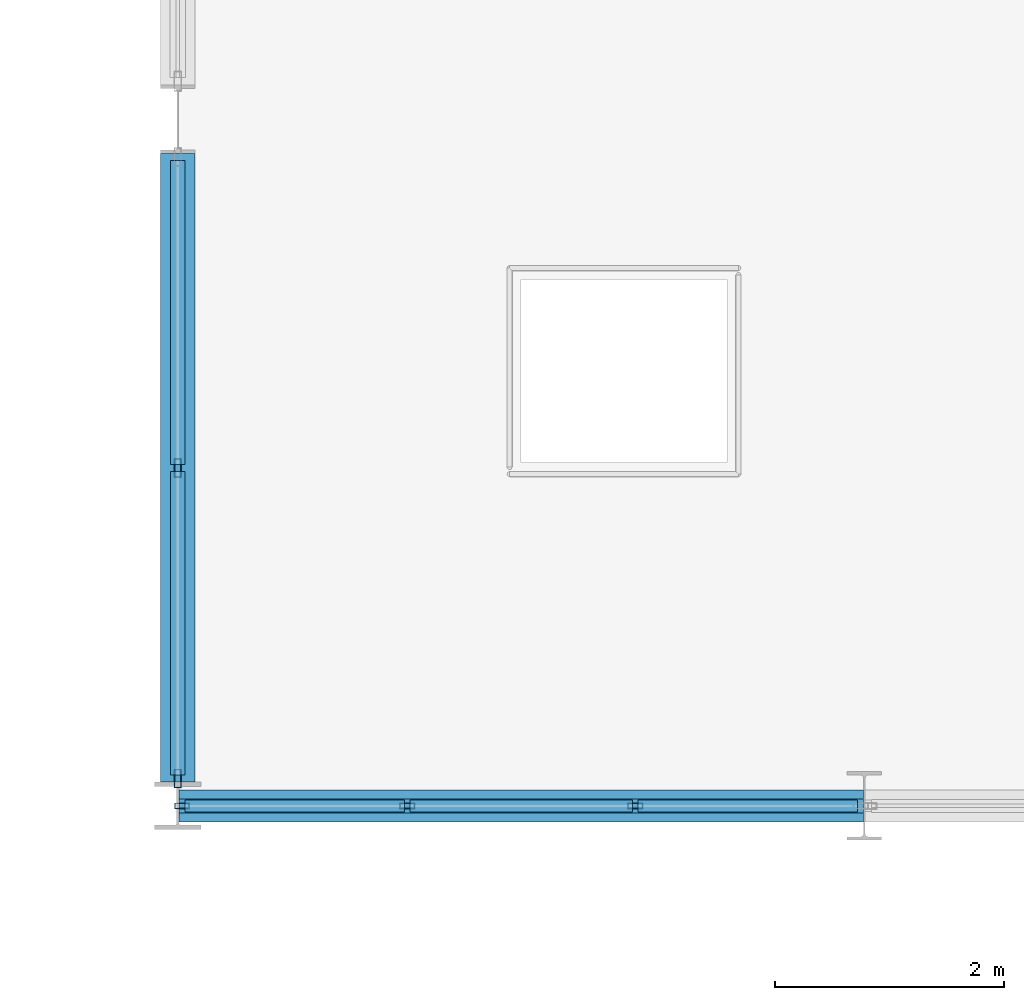
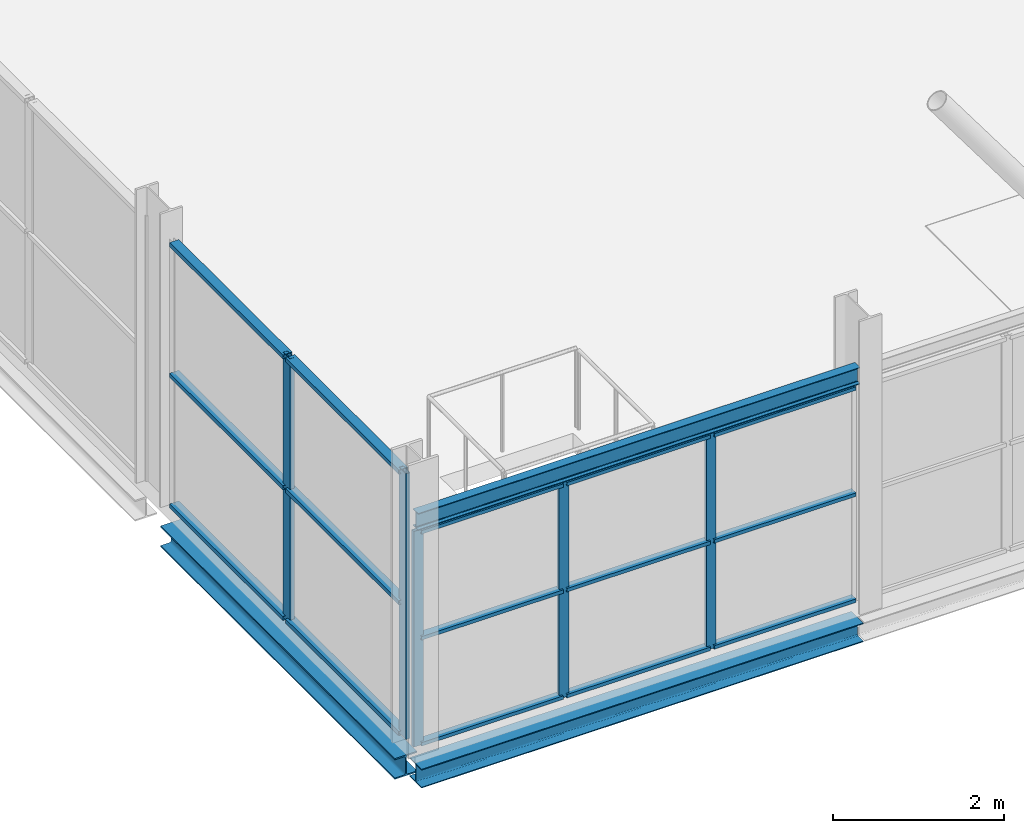
# One storey, part 23 of 140: 20 members, 3 beams, 2 elements without a shape of their own.
"""IFC4 building model written with IfcOpenShell, lengths in metres."""

from ifc_helpers import new_model, si_unit, direction, frame, origin, origin_2d, place, context, subcontext, project, spatial, hollow_rectangle, i_section, extrude, material, layer, layer_set, material_profile, profile_set, type_object, element, aggregate, save


model = new_model("IFC4")

# Units and contexts
model_context = context("Model", 3, precision=1e-05, world=origin(), true_north=direction((0.0, 1.0)))
body_context = subcontext(model_context, "Body", "Model", "MODEL_VIEW")
ifc_project = project(units=[si_unit("LENGTHUNIT", "METRE"), si_unit("AREAUNIT", "SQUARE_METRE"), si_unit("VOLUMEUNIT", "CUBIC_METRE"), si_unit("PLANEANGLEUNIT", "RADIAN"), si_unit("MASSUNIT", "GRAM", prefix="KILO")], contexts=[model_context])

# Site, building, storey
site_placement = place(None, origin())
site = spatial("IfcSite", under=ifc_project, at=site_placement, CompositionType="ELEMENT")
building_placement = place(site_placement, origin())
building = spatial("IfcBuilding", under=site, at=building_placement, Name="Deido Ridge Mobility Hub", CompositionType="ELEMENT")
storey_placement = place(building_placement, origin())
storey = spatial("IfcBuildingStorey", under=building, at=storey_placement, Name="L00", CompositionType="ELEMENT", Elevation=0.0)

# Beam
ifc_material_1 = material(Name="Steel S355J2 EN 10025-2", Category="steel")
ifc_material_profile_1 = material_profile(ifc_material_1, i_section(OverallWidth=0.1201171875, OverallDepth=0.239990234375, WebThickness=0.006103515625, FlangeThickness=0.009765625, FilletRadius=0.014892578125, at=origin_2d()), Name="IPE 240")
ifc_profile_set_1 = profile_set([ifc_material_profile_1], Name="Steel S355J2 EN 10025-2")
beam_type_1 = type_object("IfcBeamType", Name="LNT-IPE240", PredefinedType="LINTEL", material=ifc_profile_set_1)
beam_1_placement = place(storey_placement, frame((0.011962890625, 0.0, 3.22998046875), z_axis=(1.0, 0.0, 0.0), x_axis=(0.0, 1.0, 0.0)))
element("IfcBeam", 1, at=beam_1_placement, inside=storey, type_object=beam_type_1, Name="Opening lintel LN1", PredefinedType="LINTEL", context=body_context, shape_type="SweptSolid", body=[
    extrude(i_section(OverallWidth=0.1201171875, OverallDepth=0.239990234375, WebThickness=0.006103515625, FlangeThickness=0.009765625, FilletRadius=0.014892578125, at=origin_2d()), origin(), (0.0, 0.0, 1.0), 5.980224609375),
])

# Curtain wall, members
ifc_material_2 = material(Name="Anodised aluminium EN AW-6063 T6", Category="aluminium")
ifc_layer_1 = layer(ifc_material_2, 0.1650390625, Name="Anodised aluminium EN AW-6063 T6")
ifc_layer_set_1 = layer_set([ifc_layer_1], Name="Anodised aluminium EN AW-6063 T6")
curtain_wall_type_1 = type_object("IfcCurtainWallType", Name="CW-UF-1", PredefinedType="USERDEFINED", material=ifc_layer_set_1)
curtain_wall_1_placement = place(storey_placement, origin())
curtain_wall_1 = element("IfcCurtainWall", 2, at=curtain_wall_1_placement, inside=storey, type_object=curtain_wall_type_1, Name="Unitised curtain wall CW1", ObjectType="UNITISED FACADE", PredefinedType="USERDEFINED")
ifc_material_profile_2 = material_profile(ifc_material_2, hollow_rectangle(XDim=0.050048828125, YDim=0.1298828125, WallThickness=0.00390625, at=origin_2d()), Name="RHS 50x130x4")
ifc_profile_set_2 = profile_set([ifc_material_profile_2], Name="Anodised aluminium EN AW-6063 T6")
member_type_1 = type_object("IfcMemberType", Name="MEM-MUL-50X130", PredefinedType="MULLION", material=ifc_profile_set_2)
member_1_placement = place(storey_placement, frame((0.037109375, 0.0, 0.0), z_axis=(0.0, 0.0, 1.0), x_axis=(0.0, 1.0, 0.0)))
member_1 = element("IfcMember", 3, at=member_1_placement, type_object=member_type_1, Name="CW1 mullion 1", PredefinedType="MULLION", context=body_context, shape_type="SweptSolid", body=[
    extrude(hollow_rectangle(XDim=0.050048828125, YDim=0.1298828125, WallThickness=0.00390625, at=origin_2d()), origin(), (0.0, 0.0, 1.0), 3.0849609375),
])
member_2_placement = place(storey_placement, frame((2.00537109375, 0.0, 0.0), z_axis=(0.0, 0.0, 1.0), x_axis=(0.0, 1.0, 0.0)))
member_2 = element("IfcMember", 4, at=member_2_placement, type_object=member_type_1, Name="CW1 mullion 2", PredefinedType="MULLION", context=body_context, shape_type="SweptSolid", body=[
    extrude(hollow_rectangle(XDim=0.050048828125, YDim=0.1298828125, WallThickness=0.00390625, at=origin_2d()), origin(), (0.0, 0.0, 1.0), 3.0849609375),
])
member_3_placement = place(storey_placement, frame((3.998779296875, 0.0, 0.0), z_axis=(0.0, 0.0, 1.0), x_axis=(0.0, 1.0, 0.0)))
member_3 = element("IfcMember", 5, at=member_3_placement, type_object=member_type_1, Name="CW1 mullion 3", PredefinedType="MULLION", context=body_context, shape_type="SweptSolid", body=[
    extrude(hollow_rectangle(XDim=0.050048828125, YDim=0.1298828125, WallThickness=0.00390625, at=origin_2d()), origin(), (0.0, 0.0, 1.0), 3.0849609375),
])

ifc_layer_2 = layer(ifc_material_2, 0.2099609375, Name="Anodised aluminium EN AW-6063 T6")
ifc_layer_set_2 = layer_set([ifc_layer_2], Name="Anodised aluminium EN AW-6063 T6")
curtain_wall_type_2 = type_object("IfcCurtainWallType", Name="CW-UF-4", PredefinedType="USERDEFINED", material=ifc_layer_set_2)
curtain_wall_2_placement = place(storey_placement, origin())
curtain_wall_2 = element("IfcCurtainWall", 6, at=curtain_wall_2_placement, inside=storey, type_object=curtain_wall_type_2, Name="Unitised curtain wall CW4", ObjectType="UNITISED FACADE", PredefinedType="USERDEFINED")
ifc_material_profile_3 = material_profile(ifc_material_2, hollow_rectangle(XDim=0.06005859375, YDim=0.159912109375, WallThickness=0.00390625, at=origin_2d()), Name="RHS 60x160x4")
ifc_profile_set_3 = profile_set([ifc_material_profile_3], Name="Anodised aluminium EN AW-6063 T6")
member_type_2 = type_object("IfcMemberType", Name="MEM-MUL-60X160", PredefinedType="MULLION", material=ifc_profile_set_3)
member_4_placement = place(storey_placement, frame((0.0, 0.238037109375, 0.0), z_axis=(0.0, 0.0, 1.0), x_axis=(-1.0, 0.0, 0.0)))
member_4 = element("IfcMember", 7, at=member_4_placement, type_object=member_type_2, Name="CW4 mullion 1", PredefinedType="MULLION", context=body_context, shape_type="SweptSolid", body=[
    extrude(hollow_rectangle(XDim=0.06005859375, YDim=0.159912109375, WallThickness=0.00390625, at=origin_2d()), origin(), (0.0, 0.0, 1.0), 3.800048828125),
])
member_5_placement = place(storey_placement, frame((0.0, 2.9541015625, 0.0), z_axis=(0.0, 0.0, 1.0), x_axis=(-1.0, 0.0, 0.0)))
member_5 = element("IfcMember", 8, at=member_5_placement, type_object=member_type_2, Name="CW4 mullion 2", PredefinedType="MULLION", context=body_context, shape_type="SweptSolid", body=[
    extrude(hollow_rectangle(XDim=0.06005859375, YDim=0.159912109375, WallThickness=0.00390625, at=origin_2d()), origin(), (0.0, 0.0, 1.0), 3.800048828125),
])

# Member
ifc_material_profile_4 = material_profile(ifc_material_2, hollow_rectangle(XDim=0.10498046875, YDim=0.050048828125, WallThickness=0.00390625, at=origin_2d()), Name="RHS 105x50x4")
ifc_profile_set_4 = profile_set([ifc_material_profile_4], Name="Anodised aluminium EN AW-6063 T6")
member_type_3 = type_object("IfcMemberType", Name="MEM-TRN-105X50", PredefinedType="USERDEFINED", material=ifc_profile_set_4)
member_6_placement = place(storey_placement, frame((0.06201171875, 0.0, 0.02490234375), z_axis=(1.0, 0.0, 0.0), x_axis=(0.0, 1.0, 0.0)))
member_6 = element("IfcMember", 9, at=member_6_placement, type_object=member_type_3, Name="CW1 transom 1.1", ObjectType="TRANSOM", PredefinedType="USERDEFINED", context=body_context, shape_type="SweptSolid", body=[
    extrude(hollow_rectangle(XDim=0.10498046875, YDim=0.050048828125, WallThickness=0.00390625, at=origin_2d()), origin(), (0.0, 0.0, 1.0), 1.91845703125),
])

member_7_placement = place(storey_placement, frame((0.06201171875, 0.0, 1.54248046875), z_axis=(1.0, 0.0, 0.0), x_axis=(0.0, 1.0, 0.0)))
member_7 = element("IfcMember", 10, at=member_7_placement, type_object=member_type_3, Name="CW1 transom 1.2", ObjectType="TRANSOM", PredefinedType="USERDEFINED", context=body_context, shape_type="SweptSolid", body=[
    extrude(hollow_rectangle(XDim=0.10498046875, YDim=0.050048828125, WallThickness=0.00390625, at=origin_2d()), origin(), (0.0, 0.0, 1.0), 1.91845703125),
])

member_8_placement = place(storey_placement, frame((0.06201171875, 0.0, 3.06005859375), z_axis=(1.0, 0.0, 0.0), x_axis=(0.0, 1.0, 0.0)))
member_8 = element("IfcMember", 11, at=member_8_placement, type_object=member_type_3, Name="CW1 transom 1.3", ObjectType="TRANSOM", PredefinedType="USERDEFINED", context=body_context, shape_type="SweptSolid", body=[
    extrude(hollow_rectangle(XDim=0.10498046875, YDim=0.050048828125, WallThickness=0.00390625, at=origin_2d()), origin(), (0.0, 0.0, 1.0), 1.91845703125),
])

member_9_placement = place(storey_placement, frame((2.030517578125, 0.0, 0.02490234375), z_axis=(1.0, 0.0, 0.0), x_axis=(0.0, 1.0, 0.0)))
member_9 = element("IfcMember", 12, at=member_9_placement, type_object=member_type_3, Name="CW1 transom 2.1", ObjectType="TRANSOM", PredefinedType="USERDEFINED", context=body_context, shape_type="SweptSolid", body=[
    extrude(hollow_rectangle(XDim=0.10498046875, YDim=0.050048828125, WallThickness=0.00390625, at=origin_2d()), origin(), (0.0, 0.0, 1.0), 1.943359375),
])

member_10_placement = place(storey_placement, frame((2.030517578125, 0.0, 1.54248046875), z_axis=(1.0, 0.0, 0.0), x_axis=(0.0, 1.0, 0.0)))
member_10 = element("IfcMember", 13, at=member_10_placement, type_object=member_type_3, Name="CW1 transom 2.2", ObjectType="TRANSOM", PredefinedType="USERDEFINED", context=body_context, shape_type="SweptSolid", body=[
    extrude(hollow_rectangle(XDim=0.10498046875, YDim=0.050048828125, WallThickness=0.00390625, at=origin_2d()), origin(), (0.0, 0.0, 1.0), 1.943359375),
])

member_11_placement = place(storey_placement, frame((2.030517578125, 0.0, 3.06005859375), z_axis=(1.0, 0.0, 0.0), x_axis=(0.0, 1.0, 0.0)))
member_11 = element("IfcMember", 14, at=member_11_placement, type_object=member_type_3, Name="CW1 transom 2.3", ObjectType="TRANSOM", PredefinedType="USERDEFINED", context=body_context, shape_type="SweptSolid", body=[
    extrude(hollow_rectangle(XDim=0.10498046875, YDim=0.050048828125, WallThickness=0.00390625, at=origin_2d()), origin(), (0.0, 0.0, 1.0), 1.943359375),
])

member_12_placement = place(storey_placement, frame((4.02392578125, 0.0, 0.02490234375), z_axis=(1.0, 0.0, 0.0), x_axis=(0.0, 1.0, 0.0)))
member_12 = element("IfcMember", 15, at=member_12_placement, type_object=member_type_3, Name="CW1 transom 3.1", ObjectType="TRANSOM", PredefinedType="USERDEFINED", context=body_context, shape_type="SweptSolid", body=[
    extrude(hollow_rectangle(XDim=0.10498046875, YDim=0.050048828125, WallThickness=0.00390625, at=origin_2d()), origin(), (0.0, 0.0, 1.0), 1.91845703125),
])

member_13_placement = place(storey_placement, frame((4.02392578125, 0.0, 1.54248046875), z_axis=(1.0, 0.0, 0.0), x_axis=(0.0, 1.0, 0.0)))
member_13 = element("IfcMember", 16, at=member_13_placement, type_object=member_type_3, Name="CW1 transom 3.2", ObjectType="TRANSOM", PredefinedType="USERDEFINED", context=body_context, shape_type="SweptSolid", body=[
    extrude(hollow_rectangle(XDim=0.10498046875, YDim=0.050048828125, WallThickness=0.00390625, at=origin_2d()), origin(), (0.0, 0.0, 1.0), 1.91845703125),
])

member_14_placement = place(storey_placement, frame((4.02392578125, 0.0, 3.06005859375), z_axis=(1.0, 0.0, 0.0), x_axis=(0.0, 1.0, 0.0)))
member_14 = element("IfcMember", 17, at=member_14_placement, type_object=member_type_3, Name="CW1 transom 3.3", ObjectType="TRANSOM", PredefinedType="USERDEFINED", context=body_context, shape_type="SweptSolid", body=[
    extrude(hollow_rectangle(XDim=0.10498046875, YDim=0.050048828125, WallThickness=0.00390625, at=origin_2d()), origin(), (0.0, 0.0, 1.0), 1.91845703125),
])

aggregate(curtain_wall_1, [member_1, member_2, member_3, member_6, member_7, member_8, member_9, member_10, member_11, member_12, member_13, member_14])

ifc_material_profile_5 = material_profile(ifc_material_2, hollow_rectangle(XDim=0.125, YDim=0.06005859375, WallThickness=0.00390625, at=origin_2d()), Name="RHS 125x60x4")
ifc_profile_set_5 = profile_set([ifc_material_profile_5], Name="Anodised aluminium EN AW-6063 T6")
member_type_4 = type_object("IfcMemberType", Name="MEM-TRN-125X60", PredefinedType="USERDEFINED", material=ifc_profile_set_5)
member_15_placement = place(storey_placement, frame((0.0, 0.26806640625, 0.030029296875), z_axis=(0.0, 1.0, 0.0), x_axis=(-1.0, 0.0, 0.0)))
member_15 = element("IfcMember", 18, at=member_15_placement, type_object=member_type_4, Name="CW4 transom 1.1", ObjectType="TRANSOM", PredefinedType="USERDEFINED", context=body_context, shape_type="SweptSolid", body=[
    extrude(hollow_rectangle(XDim=0.125, YDim=0.06005859375, WallThickness=0.00390625, at=origin_2d()), origin(), (0.0, 0.0, 1.0), 2.656005859375),
])

member_16_placement = place(storey_placement, frame((0.0, 0.26806640625, 1.89990234375), z_axis=(0.0, 1.0, 0.0), x_axis=(-1.0, 0.0, 0.0)))
member_16 = element("IfcMember", 19, at=member_16_placement, type_object=member_type_4, Name="CW4 transom 1.2", ObjectType="TRANSOM", PredefinedType="USERDEFINED", context=body_context, shape_type="SweptSolid", body=[
    extrude(hollow_rectangle(XDim=0.125, YDim=0.06005859375, WallThickness=0.00390625, at=origin_2d()), origin(), (0.0, 0.0, 1.0), 2.656005859375),
])

member_17_placement = place(storey_placement, frame((0.0, 0.26806640625, 3.77001953125), z_axis=(0.0, 1.0, 0.0), x_axis=(-1.0, 0.0, 0.0)))
member_17 = element("IfcMember", 20, at=member_17_placement, type_object=member_type_4, Name="CW4 transom 1.3", ObjectType="TRANSOM", PredefinedType="USERDEFINED", context=body_context, shape_type="SweptSolid", body=[
    extrude(hollow_rectangle(XDim=0.125, YDim=0.06005859375, WallThickness=0.00390625, at=origin_2d()), origin(), (0.0, 0.0, 1.0), 2.656005859375),
])

member_18_placement = place(storey_placement, frame((0.0, 2.98388671875, 0.030029296875), z_axis=(0.0, 1.0, 0.0), x_axis=(-1.0, 0.0, 0.0)))
member_18 = element("IfcMember", 21, at=member_18_placement, type_object=member_type_4, Name="CW4 transom 2.1", ObjectType="TRANSOM", PredefinedType="USERDEFINED", context=body_context, shape_type="SweptSolid", body=[
    extrude(hollow_rectangle(XDim=0.125, YDim=0.06005859375, WallThickness=0.00390625, at=origin_2d()), origin(), (0.0, 0.0, 1.0), 2.656005859375),
])

member_19_placement = place(storey_placement, frame((0.0, 2.98388671875, 1.89990234375), z_axis=(0.0, 1.0, 0.0), x_axis=(-1.0, 0.0, 0.0)))
member_19 = element("IfcMember", 22, at=member_19_placement, type_object=member_type_4, Name="CW4 transom 2.2", ObjectType="TRANSOM", PredefinedType="USERDEFINED", context=body_context, shape_type="SweptSolid", body=[
    extrude(hollow_rectangle(XDim=0.125, YDim=0.06005859375, WallThickness=0.00390625, at=origin_2d()), origin(), (0.0, 0.0, 1.0), 2.656005859375),
])

member_20_placement = place(storey_placement, frame((0.0, 2.98388671875, 3.77001953125), z_axis=(0.0, 1.0, 0.0), x_axis=(-1.0, 0.0, 0.0)))
member_20 = element("IfcMember", 23, at=member_20_placement, type_object=member_type_4, Name="CW4 transom 2.3", ObjectType="TRANSOM", PredefinedType="USERDEFINED", context=body_context, shape_type="SweptSolid", body=[
    extrude(hollow_rectangle(XDim=0.125, YDim=0.06005859375, WallThickness=0.00390625, at=origin_2d()), origin(), (0.0, 0.0, 1.0), 2.656005859375),
])

aggregate(curtain_wall_2, [member_4, member_5, member_15, member_16, member_17, member_18, member_19, member_20])

# Beams
ifc_material_profile_6 = material_profile(ifc_material_1, i_section(OverallWidth=0.280029296875, OverallDepth=0.27001953125, WebThickness=0.008056640625, FlangeThickness=0.012939453125, FilletRadius=0.02392578125, at=origin_2d()), Name="HEA 280")
ifc_profile_set_6 = profile_set([ifc_material_profile_6], Name="Steel S355J2 EN 10025-2")
beam_type_2 = type_object("IfcBeamType", Name="SPD-HEA280", PredefinedType="SPANDREL", material=ifc_profile_set_6)
beam_2_placement = place(storey_placement, frame((0.011962890625, 0.0, -0.39501953125), z_axis=(1.0, 0.0, 0.0), x_axis=(0.0, 1.0, 0.0)))
element("IfcBeam", 24, at=beam_2_placement, inside=storey, type_object=beam_type_2, Name="Floor beam SP2", PredefinedType="SPANDREL", context=body_context, shape_type="SweptSolid", body=[
    extrude(i_section(OverallWidth=0.280029296875, OverallDepth=0.27001953125, WebThickness=0.008056640625, FlangeThickness=0.012939453125, FilletRadius=0.02392578125, at=origin_2d()), origin(), (0.0, 0.0, 1.0), 5.980224609375),
])
ifc_material_profile_7 = material_profile(ifc_material_1, i_section(OverallWidth=0.300048828125, OverallDepth=0.300048828125, WebThickness=0.010986328125, FlangeThickness=0.01904296875, FilletRadius=0.027099609375, at=origin_2d()), Name="HEB 300")
ifc_profile_set_7 = profile_set([ifc_material_profile_7], Name="Steel S355J2 EN 10025-2")
beam_type_3 = type_object("IfcBeamType", Name="SPD-HEB300", PredefinedType="SPANDREL", material=ifc_profile_set_7)
beam_3_placement = place(storey_placement, frame((0.0, 0.2080078125, -0.409912109375), z_axis=(0.0, 1.0, 0.0), x_axis=(-1.0, 0.0, 0.0)))
element("IfcBeam", 25, at=beam_3_placement, inside=storey, type_object=beam_type_3, Name="Floor beam SP1", PredefinedType="SPANDREL", context=body_context, shape_type="SweptSolid", body=[
    extrude(i_section(OverallWidth=0.300048828125, OverallDepth=0.300048828125, WebThickness=0.010986328125, FlangeThickness=0.01904296875, FilletRadius=0.027099609375, at=origin_2d()), origin(), (0.0, 0.0, 1.0), 5.491943359375),
])

save(model, "model.ifc")
